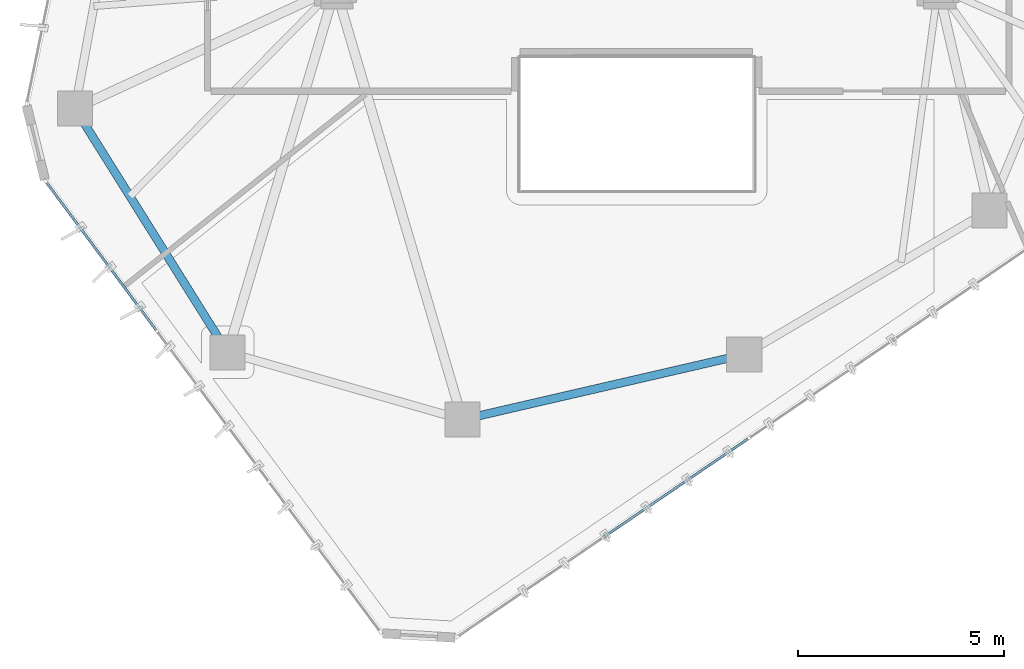
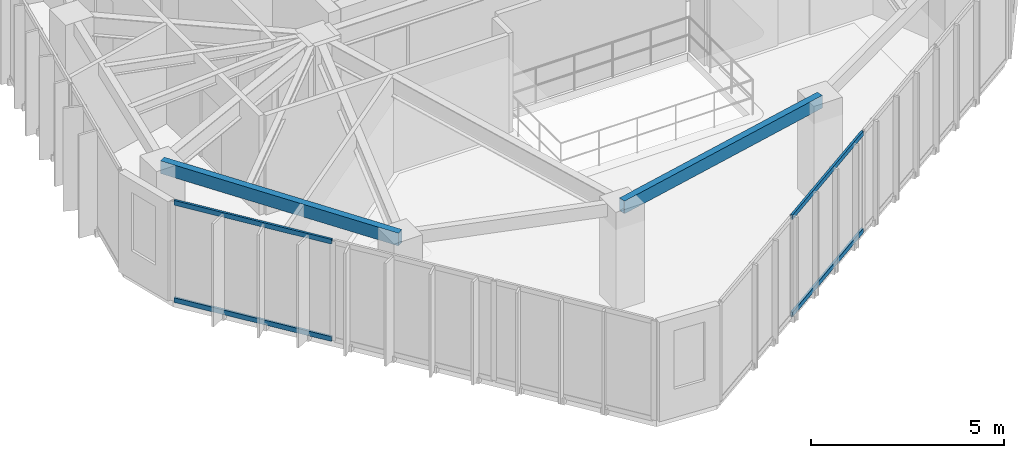
# One storey, part 3 of 20: 4 members, 2 beams, 2 elements without a shape of their own.
"""IFC4 building model written with IfcOpenShell, lengths in metres."""

from ifc_helpers import new_model, si_unit, direction, frame, origin, origin_2d, place, context, subcontext, project, spatial, hollow_rectangle, extrude, source, transform, mapped, material, layer, layer_set, material_profile, profile_set, type_object, type_shapes, element, aggregate, save


model = new_model("IFC4")

# Units and contexts
model_context = context("Model", 3, precision=1e-05, world=origin(), true_north=direction((0.0, 1.0)))
body_context = subcontext(model_context, "Body", "Model", "MODEL_VIEW")
ifc_project = project(units=[si_unit("LENGTHUNIT", "METRE"), si_unit("AREAUNIT", "SQUARE_METRE"), si_unit("VOLUMEUNIT", "CUBIC_METRE"), si_unit("PLANEANGLEUNIT", "RADIAN"), si_unit("MASSUNIT", "GRAM", prefix="KILO")], contexts=[model_context])

# Site, building, storey
site_placement = place(None, origin())
site = spatial("IfcSite", under=ifc_project, at=site_placement, CompositionType="ELEMENT")
building_placement = place(site_placement, origin())
building = spatial("IfcBuilding", under=site, at=building_placement, Name="Talar Marvaseh", CompositionType="ELEMENT")
storey_placement = place(building_placement, frame((0.0, 0.0, 244.199951171875)))
storey = spatial("IfcBuildingStorey", under=building, at=storey_placement, Name="L64", CompositionType="ELEMENT", Elevation=244.199951171875)

# Beams
ifc_material_1 = material(Name="Steel S355", Category="steel")
ifc_material_profile_1 = material_profile(ifc_material_1, hollow_rectangle(XDim=0.199951171875, YDim=0.39990234375, WallThickness=0.013916015625, at=origin_2d()), Name="RHS400x200x14")
ifc_profile_set_1 = profile_set([ifc_material_profile_1], Name="Steel S355")
beam_type = type_object("IfcBeamType", Name="Zone 3 Perimeter Spandrel Beam RHS400x200x14", PredefinedType="SPANDREL", material=ifc_profile_set_1)
beam_1_placement = place(storey_placement, frame((28.60498046875, 16.616943359375, 2.93994140625), z_axis=(-0.974361245946, -0.22498924952, 0.0), x_axis=(0.22498924952, -0.974361245946, 0.0)))
element("IfcBeam", 1, at=beam_1_placement, inside=storey, type_object=beam_type, Name="L64 Zone 3 Perimeter Spandrel Beam RHS400x200x14", PredefinedType="SPANDREL", context=body_context, shape_type="SweptSolid", body=[
    extrude(hollow_rectangle(XDim=0.199951171875, YDim=0.39990234375, WallThickness=0.013916015625, at=origin_2d()), origin(), (0.0, 0.0, 1.0), 7.0087890625),
])
beam_2_placement = place(storey_placement, frame((16.0869140625, 16.66796875, 2.93994140625), z_axis=(-0.530505706813, 0.847681364098, 0.0), x_axis=(-0.847681364098, -0.530505706813, 0.0)))
element("IfcBeam", 2, at=beam_2_placement, inside=storey, type_object=beam_type, Name="L64 Zone 3 Perimeter Spandrel Beam RHS400x200x14", PredefinedType="SPANDREL", context=body_context, shape_type="SweptSolid", body=[
    extrude(hollow_rectangle(XDim=0.199951171875, YDim=0.39990234375, WallThickness=0.013916015625, at=origin_2d()), origin(), (0.0, 0.0, 1.0), 6.970703125),
])

# Curtain wall, members
ifc_material_2 = material(Name="Architectural Aluminium", Category="aluminium")
ifc_layer = layer(ifc_material_2, 0.179931640625)
ifc_layer_set = layer_set([ifc_layer], Name="Architectural Aluminium")
curtain_wall_type = type_object("IfcCurtainWallType", Name="Unitised High-Wind Sky Curtain Wall Z4", PredefinedType="NOTDEFINED", material=ifc_layer_set)
curtain_wall_1_placement = place(storey_placement, origin())
curtain_wall_1 = element("IfcCurtainWall", 3, at=curtain_wall_1_placement, inside=storey, type_object=curtain_wall_type, Name="L64 Unitised High-Wind Sky Curtain Wall Z4", PredefinedType="NOTDEFINED")
ifc_material_profile_2 = material_profile(ifc_material_2, hollow_rectangle(XDim=0.06494140625, YDim=0.14990234375, WallThickness=0.00390625, at=origin_2d()), Name="RHS150x65x4")
ifc_profile_set_2 = profile_set([ifc_material_profile_2], Name="Architectural Aluminium")
member_type = type_object("IfcMemberType", Name="Unitised Curtain Wall Slim Transom RHS150x65x4", PredefinedType="USERDEFINED", material=ifc_profile_set_2)
shared_shape_1 = source(origin(), body_context, "Body", "SweptSolid", [
    extrude(hollow_rectangle(XDim=0.06494140625, YDim=0.14990234375, WallThickness=0.00390625, at=origin_2d()), origin(), (0.0, 0.0, 1.0), 4.447509765625),
])
member_1_placement = place(storey_placement, frame((14.3583984375, 17.205078125, 0.032470703125), z_axis=(-0.596146109006, 0.80287596596, 0.0), x_axis=(-0.80287596596, -0.596146109006, 0.0)))
member_1 = element("IfcMember", 4, at=member_1_placement, type_object=member_type, Name="CW-Z4 transom 3.1", ObjectType="TRANSOM", PredefinedType="USERDEFINED", context=body_context, shape_type="MappedRepresentation", body=[
    mapped(shared_shape_1, transform((0.0, 0.0, 0.0), x_axis=(1.0, 0.0, 0.0), y_axis=(0.0, 1.0, 0.0), z_axis=(0.0, 0.0, 1.0), scale=1.0)),
])
member_2_placement = place(storey_placement, frame((14.3583984375, 17.205078125, 3.107666015625), z_axis=(-0.596146109006, 0.80287596596, 0.0), x_axis=(-0.80287596596, -0.596146109006, 0.0)))
member_2 = element("IfcMember", 5, at=member_2_placement, type_object=member_type, Name="CW-Z4 transom 3.2", ObjectType="TRANSOM", PredefinedType="USERDEFINED", context=body_context, shape_type="MappedRepresentation", body=[
    mapped(shared_shape_1, transform((0.0, 0.0, 0.0), x_axis=(1.0, 0.0, 0.0), y_axis=(0.0, 1.0, 0.0), z_axis=(0.0, 0.0, 1.0), scale=1.0)),
])
aggregate(curtain_wall_1, [member_1, member_2])

curtain_wall_2_placement = place(storey_placement, origin())
curtain_wall_2 = element("IfcCurtainWall", 6, at=curtain_wall_2_placement, inside=storey, type_object=curtain_wall_type, Name="L64 Unitised High-Wind Sky Curtain Wall Z4", PredefinedType="NOTDEFINED")
shared_shape_2 = source(origin(), body_context, "Body", "SweptSolid", [
    extrude(hollow_rectangle(XDim=0.06494140625, YDim=0.14990234375, WallThickness=0.00390625, at=origin_2d()), origin(), (0.0, 0.0, 1.0), 4.221435546875),
])
type_shapes(member_type, [shared_shape_1, shared_shape_2])
member_3_placement = place(storey_placement, frame((28.6923828125, 14.572998046875, 0.032470703125), z_axis=(-0.826519669274, -0.562907839973, 0.0), x_axis=(0.562907839973, -0.826519669274, 0.0)))
member_3 = element("IfcMember", 7, at=member_3_placement, type_object=member_type, Name="CW-Z4 transom 3.1", ObjectType="TRANSOM", PredefinedType="USERDEFINED", context=body_context, shape_type="MappedRepresentation", body=[
    mapped(shared_shape_2, transform((0.0, 0.0, 0.0), x_axis=(1.0, 0.0, 0.0), y_axis=(0.0, 1.0, 0.0), z_axis=(0.0, 0.0, 1.0), scale=1.0)),
])
member_4_placement = place(storey_placement, frame((28.6923828125, 14.572998046875, 3.107666015625), z_axis=(-0.826519669274, -0.562907839973, 0.0), x_axis=(0.562907839973, -0.826519669274, 0.0)))
member_4 = element("IfcMember", 8, at=member_4_placement, type_object=member_type, Name="CW-Z4 transom 3.2", ObjectType="TRANSOM", PredefinedType="USERDEFINED", context=body_context, shape_type="MappedRepresentation", body=[
    mapped(shared_shape_2, transform((0.0, 0.0, 0.0), x_axis=(1.0, 0.0, 0.0), y_axis=(0.0, 1.0, 0.0), z_axis=(0.0, 0.0, 1.0), scale=1.0)),
])
aggregate(curtain_wall_2, [member_3, member_4])

save(model, "model.ifc")
